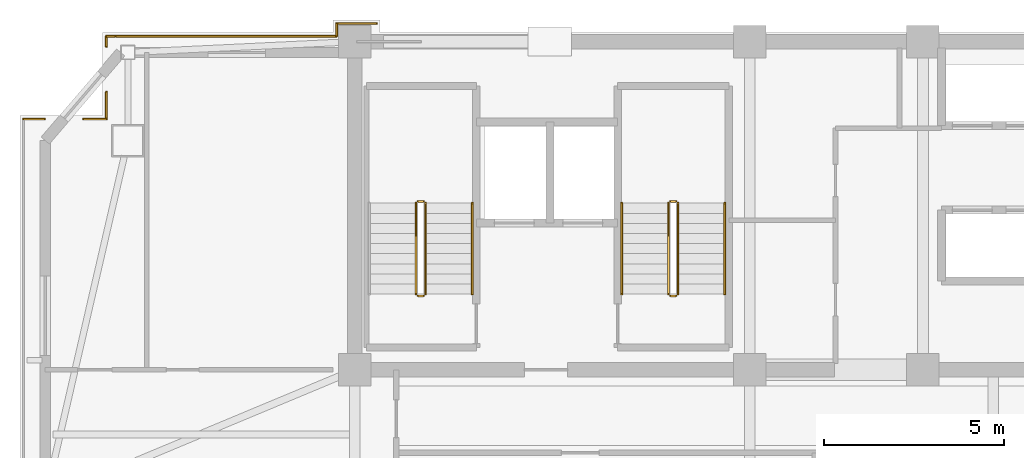
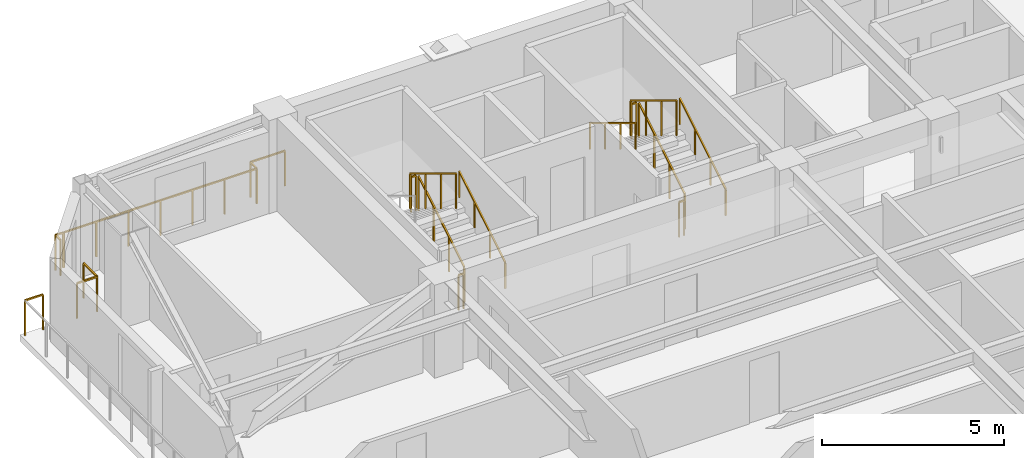
# One storey, part 11 of 13: 19 railings.
"""IFC4 building model written with IfcOpenShell, lengths in metres."""

from ifc_helpers import new_model, si_unit, direction, frame, origin, origin_2d, place, context, subcontext, project, spatial, rectangle, extrude, material, type_object, element, save


model = new_model("IFC4")

# Units and contexts
model_context = context("Model", 3, precision=1e-05, world=origin(), true_north=direction((0.0, 1.0)))
body_context = subcontext(model_context, "Body", "Model", "MODEL_VIEW")
ifc_project = project(units=[si_unit("LENGTHUNIT", "METRE"), si_unit("AREAUNIT", "SQUARE_METRE"), si_unit("VOLUMEUNIT", "CUBIC_METRE"), si_unit("PLANEANGLEUNIT", "RADIAN"), si_unit("MASSUNIT", "GRAM", prefix="KILO")], contexts=[model_context])

# Site, building, storey
site_placement = place(None, origin())
site = spatial("IfcSite", under=ifc_project, at=site_placement, CompositionType="ELEMENT")
building_placement = place(site_placement, origin())
building = spatial("IfcBuilding", under=site, at=building_placement, Name="Giltprow Tower", CompositionType="ELEMENT")
storey_placement = place(building_placement, frame((0.0, 0.0, 324.39990234375)))
storey = spatial("IfcBuildingStorey", under=building, at=storey_placement, Name="L84", CompositionType="ELEMENT", Elevation=324.39990234375)

# Railings
ifc_material = material(Name="Anodized bronze", Category="metal")
railing_type_1 = type_object("IfcRailingType", Name="RAIL-BALC-GUARD-1200", PredefinedType="BALUSTRADE", material=ifc_material)
railing_1_placement = place(storey_placement, frame((10.669921875, 44.407958984375, 0.0)))
element("IfcRailing", 1, at=railing_1_placement, inside=storey, type_object=railing_type_1, Name="L84 Corner Apron Edge Balustrade 14", PredefinedType="BALUSTRADE", context=body_context, shape_type="SweptSolid", body=[
    extrude(rectangle(XDim=0.048095703125, YDim=0.048095703125, at=origin_2d()), frame((0.0, 0.0, 1.17578125), z_axis=(1.0, 0.0, 0.0), x_axis=(0.0, 1.0, 0.0)), (0.0, 0.0, 1.0), 0.573974609375),
    extrude(rectangle(XDim=0.0419921875, YDim=0.0419921875, at=origin_2d()), origin(), (0.0, 0.0, 1.0), 1.15185546875),
    extrude(rectangle(XDim=0.0419921875, YDim=0.0419921875, at=origin_2d()), frame((0.573974609375, 0.0, 0.0)), (0.0, 0.0, 1.0), 1.15185546875),
])
railing_2_placement = place(storey_placement, frame((12.323974609375, 44.407958984375, 0.0)))
element("IfcRailing", 2, at=railing_2_placement, inside=storey, type_object=railing_type_1, Name="L84 Corner Apron Edge Balustrade 15", PredefinedType="BALUSTRADE", context=body_context, shape_type="SweptSolid", body=[
    extrude(rectangle(XDim=0.048095703125, YDim=0.048095703125, at=origin_2d()), frame((0.0, 0.0, 1.17578125), z_axis=(1.0, 0.0, 0.0), x_axis=(0.0, 1.0, 0.0)), (0.0, 0.0, 1.0), 0.637939453125),
    extrude(rectangle(XDim=0.0419921875, YDim=0.0419921875, at=origin_2d()), origin(), (0.0, 0.0, 1.0), 1.15185546875),
    extrude(rectangle(XDim=0.0419921875, YDim=0.0419921875, at=origin_2d()), frame((0.637939453125, 0.0, 0.0)), (0.0, 0.0, 1.0), 1.15185546875),
])
railing_3_placement = place(storey_placement, frame((12.9619140625, 44.407958984375, 0.0)))
element("IfcRailing", 3, at=railing_3_placement, inside=storey, type_object=railing_type_1, Name="L84 Corner Apron Edge Balustrade 16", PredefinedType="BALUSTRADE", context=body_context, shape_type="SweptSolid", body=[
    extrude(rectangle(XDim=0.048095703125, YDim=0.048095703125, at=origin_2d()), frame((0.0, 0.0, 1.17578125), z_axis=(0.0, 1.0, 0.0), x_axis=(-1.0, 0.0, 0.0)), (0.0, 0.0, 1.0), 0.7451171875),
    extrude(rectangle(XDim=0.0419921875, YDim=0.0419921875, at=origin_2d()), origin(), (0.0, 0.0, 1.0), 1.15185546875),
    extrude(rectangle(XDim=0.0419921875, YDim=0.0419921875, at=origin_2d()), frame((0.0, 0.7451171875, 0.0)), (0.0, 0.0, 1.0), 1.15185546875),
])
railing_4_placement = place(storey_placement, frame((12.9619140625, 46.4130859375, 0.0)))
element("IfcRailing", 4, at=railing_4_placement, inside=storey, type_object=railing_type_1, Name="L84 Corner Apron Edge Balustrade 17", PredefinedType="BALUSTRADE", context=body_context, shape_type="SweptSolid", body=[
    extrude(rectangle(XDim=0.048095703125, YDim=0.048095703125, at=origin_2d()), frame((0.0, 0.0, 1.17578125), z_axis=(0.0, 1.0, 0.0), x_axis=(-1.0, 0.0, 0.0)), (0.0, 0.0, 1.0), 0.286865234375),
    extrude(rectangle(XDim=0.0419921875, YDim=0.0419921875, at=origin_2d()), origin(), (0.0, 0.0, 1.0), 1.15185546875),
    extrude(rectangle(XDim=0.0419921875, YDim=0.0419921875, at=origin_2d()), frame((0.0, 0.286865234375, 0.0)), (0.0, 0.0, 1.0), 1.15185546875),
])
railing_5_placement = place(storey_placement, frame((12.9619140625, 46.699951171875, 0.0)))
element("IfcRailing", 5, at=railing_5_placement, inside=storey, type_object=railing_type_1, Name="L84 Corner Apron Edge Balustrade 18", PredefinedType="BALUSTRADE", context=body_context, shape_type="SweptSolid", body=[
    extrude(rectangle(XDim=0.048095703125, YDim=0.048095703125, at=origin_2d()), frame((0.0, 0.0, 1.17578125), z_axis=(1.0, 0.0, 0.0), x_axis=(0.0, 1.0, 0.0)), (0.0, 0.0, 1.0), 0.24609375),
    extrude(rectangle(XDim=0.0419921875, YDim=0.0419921875, at=origin_2d()), origin(), (0.0, 0.0, 1.0), 1.15185546875),
    extrude(rectangle(XDim=0.0419921875, YDim=0.0419921875, at=origin_2d()), frame((0.24609375, 0.0, 0.0)), (0.0, 0.0, 1.0), 1.15185546875),
])
railing_6_placement = place(storey_placement, frame((13.236083984375, 46.699951171875, 0.0)))
element("IfcRailing", 6, at=railing_6_placement, inside=storey, type_object=railing_type_1, Name="L84 Corner Apron Edge Balustrade 19", PredefinedType="BALUSTRADE", context=body_context, shape_type="SweptSolid", body=[
    extrude(rectangle(XDim=0.048095703125, YDim=0.048095703125, at=origin_2d()), frame((0.0, 0.0, 1.17578125), z_axis=(1.0, 0.0, 0.0), x_axis=(0.0, 1.0, 0.0)), (0.0, 0.0, 1.0), 6.114013671875),
    extrude(rectangle(XDim=0.0419921875, YDim=0.0419921875, at=origin_2d()), origin(), (0.0, 0.0, 1.0), 1.15185546875),
    extrude(rectangle(XDim=0.0419921875, YDim=0.0419921875, at=origin_2d()), frame((1.01904296875, 0.0, 0.0)), (0.0, 0.0, 1.0), 1.15185546875),
    extrude(rectangle(XDim=0.0419921875, YDim=0.0419921875, at=origin_2d()), frame((2.0380859375, 0.0, 0.0)), (0.0, 0.0, 1.0), 1.15185546875),
    extrude(rectangle(XDim=0.0419921875, YDim=0.0419921875, at=origin_2d()), frame((3.05712890625, 0.0, 0.0)), (0.0, 0.0, 1.0), 1.15185546875),
    extrude(rectangle(XDim=0.0419921875, YDim=0.0419921875, at=origin_2d()), frame((4.075927734375, 0.0, 0.0)), (0.0, 0.0, 1.0), 1.15185546875),
    extrude(rectangle(XDim=0.0419921875, YDim=0.0419921875, at=origin_2d()), frame((5.094970703125, 0.0, 0.0)), (0.0, 0.0, 1.0), 1.15185546875),
    extrude(rectangle(XDim=0.0419921875, YDim=0.0419921875, at=origin_2d()), frame((6.114013671875, 0.0, 0.0)), (0.0, 0.0, 1.0), 1.15185546875),
])
railing_7_placement = place(storey_placement, frame((19.35009765625, 46.699951171875, 0.0)))
element("IfcRailing", 7, at=railing_7_placement, inside=storey, type_object=railing_type_1, Name="L84 Corner Apron Edge Balustrade 20", PredefinedType="BALUSTRADE", context=body_context, shape_type="SweptSolid", body=[
    extrude(rectangle(XDim=0.048095703125, YDim=0.048095703125, at=origin_2d()), frame((0.0, 0.0, 1.17578125), z_axis=(0.0, 1.0, 0.0), x_axis=(-1.0, 0.0, 0.0)), (0.0, 0.0, 1.0), 0.35009765625),
    extrude(rectangle(XDim=0.0419921875, YDim=0.0419921875, at=origin_2d()), origin(), (0.0, 0.0, 1.0), 1.15185546875),
    extrude(rectangle(XDim=0.0419921875, YDim=0.0419921875, at=origin_2d()), frame((0.0, 0.35009765625, 0.0)), (0.0, 0.0, 1.0), 1.15185546875),
])
railing_8_placement = place(storey_placement, frame((19.35009765625, 47.050048828125, 0.0)))
element("IfcRailing", 8, at=railing_8_placement, inside=storey, type_object=railing_type_1, Name="L84 Corner Apron Edge Balustrade 21", PredefinedType="BALUSTRADE", context=body_context, shape_type="SweptSolid", body=[
    extrude(rectangle(XDim=0.048095703125, YDim=0.048095703125, at=origin_2d()), frame((0.0, 0.0, 1.17578125), z_axis=(1.0, 0.0, 0.0), x_axis=(0.0, 1.0, 0.0)), (0.0, 0.0, 1.0), 1.099853515625),
    extrude(rectangle(XDim=0.0419921875, YDim=0.0419921875, at=origin_2d()), origin(), (0.0, 0.0, 1.0), 1.15185546875),
    extrude(rectangle(XDim=0.0419921875, YDim=0.0419921875, at=origin_2d()), frame((1.099853515625, 0.0, 0.0)), (0.0, 0.0, 1.0), 1.15185546875),
])
railing_type_2 = type_object("IfcRailingType", Name="RAIL-STAIR-GUARD-1200", PredefinedType="GUARDRAIL", material=ifc_material)
railing_9_placement = place(storey_placement, frame((21.81005859375, 39.550048828125, 0.170166015625)))
element("IfcRailing", 9, at=railing_9_placement, inside=storey, type_object=railing_type_2, Name="L84 ST-1 stair guard 1", PredefinedType="GUARDRAIL", context=body_context, shape_type="SweptSolid", body=[
    extrude(rectangle(XDim=0.048095703125, YDim=0.048095703125, at=origin_2d()), frame((0.0, 0.0, 1.17578125), z_axis=(0.0, 0.85478489116, 0.518982456201), x_axis=(-1.0, 0.0, 0.0)), (0.0, 0.0, 1.0), 2.9482421875),
    extrude(rectangle(XDim=0.0419921875, YDim=0.0419921875, at=origin_2d()), origin(), (0.0, 0.0, 1.0), 1.15185546875),
    extrude(rectangle(XDim=0.0419921875, YDim=0.0419921875, at=origin_2d()), frame((0.0, 0.840087890625, 0.510009765625)), (0.0, 0.0, 1.0), 1.15185546875),
    extrude(rectangle(XDim=0.0419921875, YDim=0.0419921875, at=origin_2d()), frame((0.0, 1.679931640625, 1.02001953125)), (0.0, 0.0, 1.0), 1.15185546875),
    extrude(rectangle(XDim=0.0419921875, YDim=0.0419921875, at=origin_2d()), frame((0.0, 2.52001953125, 1.530029296875)), (0.0, 0.0, 1.0), 1.15185546875),
])
railing_10_placement = place(storey_placement, frame((21.760009765625, 42.1201171875, 1.7001953125)))
element("IfcRailing", 10, at=railing_10_placement, inside=storey, type_object=railing_type_2, Name="L84 ST-1 stair guard 2", PredefinedType="GUARDRAIL", context=body_context, shape_type="SweptSolid", body=[
    extrude(rectangle(XDim=0.048095703125, YDim=0.048095703125, at=origin_2d()), frame((0.0, 0.0, 1.17578125), z_axis=(-1.0, 0.0, 0.0), x_axis=(0.0, -1.0, 0.0)), (0.0, 0.0, 1.0), 0.159912109375),
    extrude(rectangle(XDim=0.0419921875, YDim=0.0419921875, at=origin_2d()), origin(), (0.0, 0.0, 1.0), 1.15185546875),
    extrude(rectangle(XDim=0.0419921875, YDim=0.0419921875, at=origin_2d()), frame((-0.159912109375, 0.0, 0.0)), (0.0, 0.0, 1.0), 1.15185546875),
])
railing_11_placement = place(storey_placement, frame((21.550048828125, 42.070068359375, 1.8701171875)))
element("IfcRailing", 11, at=railing_11_placement, inside=storey, type_object=railing_type_2, Name="L84 ST-1 stair guard 3", PredefinedType="GUARDRAIL", context=body_context, shape_type="SweptSolid", body=[
    extrude(rectangle(XDim=0.048095703125, YDim=0.048095703125, at=origin_2d()), frame((0.0, 0.0, 1.17578125), z_axis=(0.0, -0.85478489116, 0.518982456201), x_axis=(1.0, 0.0, 0.0)), (0.0, 0.0, 1.0), 2.9482421875),
    extrude(rectangle(XDim=0.0419921875, YDim=0.0419921875, at=origin_2d()), origin(), (0.0, 0.0, 1.0), 1.15185546875),
    extrude(rectangle(XDim=0.0419921875, YDim=0.0419921875, at=origin_2d()), frame((0.0, -0.840087890625, 0.510009765625)), (0.0, 0.0, 1.0), 1.15185546875),
    extrude(rectangle(XDim=0.0419921875, YDim=0.0419921875, at=origin_2d()), frame((0.0, -1.679931640625, 1.02001953125)), (0.0, 0.0, 1.0), 1.15185546875),
    extrude(rectangle(XDim=0.0419921875, YDim=0.0419921875, at=origin_2d()), frame((0.0, -2.52001953125, 1.530029296875)), (0.0, 0.0, 1.0), 1.15185546875),
])
railing_12_placement = place(storey_placement, frame((21.760009765625, 39.5, 0.0)))
element("IfcRailing", 12, at=railing_12_placement, inside=storey, type_object=railing_type_2, Name="L84 ST-1 stair guard 4", PredefinedType="GUARDRAIL", context=body_context, shape_type="SweptSolid", body=[
    extrude(rectangle(XDim=0.048095703125, YDim=0.048095703125, at=origin_2d()), frame((0.0, 0.0, 1.17578125), z_axis=(-1.0, 0.0, 0.0), x_axis=(0.0, -1.0, 0.0)), (0.0, 0.0, 1.0), 0.159912109375),
    extrude(rectangle(XDim=0.0419921875, YDim=0.0419921875, at=origin_2d()), origin(), (0.0, 0.0, 1.0), 1.15185546875),
    extrude(rectangle(XDim=0.0419921875, YDim=0.0419921875, at=origin_2d()), frame((-0.159912109375, 0.0, 0.0)), (0.0, 0.0, 1.0), 1.15185546875),
])
railing_13_placement = place(storey_placement, frame((28.81005859375, 39.550048828125, 0.170166015625)))
element("IfcRailing", 13, at=railing_13_placement, inside=storey, type_object=railing_type_2, Name="L84 ST-2 stair guard 1", PredefinedType="GUARDRAIL", context=body_context, shape_type="SweptSolid", body=[
    extrude(rectangle(XDim=0.048095703125, YDim=0.048095703125, at=origin_2d()), frame((0.0, 0.0, 1.17578125), z_axis=(0.0, 0.85478489116, 0.518982456201), x_axis=(-1.0, 0.0, 0.0)), (0.0, 0.0, 1.0), 2.9482421875),
    extrude(rectangle(XDim=0.0419921875, YDim=0.0419921875, at=origin_2d()), origin(), (0.0, 0.0, 1.0), 1.15185546875),
    extrude(rectangle(XDim=0.0419921875, YDim=0.0419921875, at=origin_2d()), frame((0.0, 0.840087890625, 0.510009765625)), (0.0, 0.0, 1.0), 1.15185546875),
    extrude(rectangle(XDim=0.0419921875, YDim=0.0419921875, at=origin_2d()), frame((0.0, 1.679931640625, 1.02001953125)), (0.0, 0.0, 1.0), 1.15185546875),
    extrude(rectangle(XDim=0.0419921875, YDim=0.0419921875, at=origin_2d()), frame((0.0, 2.52001953125, 1.530029296875)), (0.0, 0.0, 1.0), 1.15185546875),
])
railing_14_placement = place(storey_placement, frame((28.760009765625, 42.1201171875, 1.7001953125)))
element("IfcRailing", 14, at=railing_14_placement, inside=storey, type_object=railing_type_2, Name="L84 ST-2 stair guard 2", PredefinedType="GUARDRAIL", context=body_context, shape_type="SweptSolid", body=[
    extrude(rectangle(XDim=0.048095703125, YDim=0.048095703125, at=origin_2d()), frame((0.0, 0.0, 1.17578125), z_axis=(-1.0, 0.0, 0.0), x_axis=(0.0, -1.0, 0.0)), (0.0, 0.0, 1.0), 0.159912109375),
    extrude(rectangle(XDim=0.0419921875, YDim=0.0419921875, at=origin_2d()), origin(), (0.0, 0.0, 1.0), 1.15185546875),
    extrude(rectangle(XDim=0.0419921875, YDim=0.0419921875, at=origin_2d()), frame((-0.159912109375, 0.0, 0.0)), (0.0, 0.0, 1.0), 1.15185546875),
])
railing_15_placement = place(storey_placement, frame((28.550048828125, 42.070068359375, 1.8701171875)))
element("IfcRailing", 15, at=railing_15_placement, inside=storey, type_object=railing_type_2, Name="L84 ST-2 stair guard 3", PredefinedType="GUARDRAIL", context=body_context, shape_type="SweptSolid", body=[
    extrude(rectangle(XDim=0.048095703125, YDim=0.048095703125, at=origin_2d()), frame((0.0, 0.0, 1.17578125), z_axis=(0.0, -0.85478489116, 0.518982456201), x_axis=(1.0, 0.0, 0.0)), (0.0, 0.0, 1.0), 2.9482421875),
    extrude(rectangle(XDim=0.0419921875, YDim=0.0419921875, at=origin_2d()), origin(), (0.0, 0.0, 1.0), 1.15185546875),
    extrude(rectangle(XDim=0.0419921875, YDim=0.0419921875, at=origin_2d()), frame((0.0, -0.840087890625, 0.510009765625)), (0.0, 0.0, 1.0), 1.15185546875),
    extrude(rectangle(XDim=0.0419921875, YDim=0.0419921875, at=origin_2d()), frame((0.0, -1.679931640625, 1.02001953125)), (0.0, 0.0, 1.0), 1.15185546875),
    extrude(rectangle(XDim=0.0419921875, YDim=0.0419921875, at=origin_2d()), frame((0.0, -2.52001953125, 1.530029296875)), (0.0, 0.0, 1.0), 1.15185546875),
])
railing_16_placement = place(storey_placement, frame((28.760009765625, 39.5, 0.0)))
element("IfcRailing", 16, at=railing_16_placement, inside=storey, type_object=railing_type_2, Name="L84 ST-2 stair guard 4", PredefinedType="GUARDRAIL", context=body_context, shape_type="SweptSolid", body=[
    extrude(rectangle(XDim=0.048095703125, YDim=0.048095703125, at=origin_2d()), frame((0.0, 0.0, 1.17578125), z_axis=(-1.0, 0.0, 0.0), x_axis=(0.0, -1.0, 0.0)), (0.0, 0.0, 1.0), 0.159912109375),
    extrude(rectangle(XDim=0.0419921875, YDim=0.0419921875, at=origin_2d()), origin(), (0.0, 0.0, 1.0), 1.15185546875),
    extrude(rectangle(XDim=0.0419921875, YDim=0.0419921875, at=origin_2d()), frame((-0.159912109375, 0.0, 0.0)), (0.0, 0.0, 1.0), 1.15185546875),
])
railing_type_3 = type_object("IfcRailingType", Name="RAIL-STAIR-HAND-900", PredefinedType="HANDRAIL", material=ifc_material)
for number, where, name in (
    (17, (23.110107421875, 39.550048828125, 0.170166015625), "L84 ST-1 stair handrail 1"),
    (18, (30.110107421875, 39.550048828125, 0.170166015625), "L84 ST-2 stair handrail 1"),
):
    element("IfcRailing", number, at=place(storey_placement, frame(where)), inside=storey, type_object=railing_type_3, Name=name, PredefinedType="HANDRAIL", context=body_context, shape_type="SweptSolid", body=[
        extrude(rectangle(XDim=0.048095703125, YDim=0.048095703125, at=origin_2d()), frame((0.0, 0.0, 0.8759765625), z_axis=(0.0, 0.85478489116, 0.518982456201), x_axis=(-1.0, 0.0, 0.0)), (0.0, 0.0, 1.0), 2.9482421875),
        extrude(rectangle(XDim=0.0419921875, YDim=0.0419921875, at=origin_2d()), origin(), (0.0, 0.0, 1.0), 0.851806640625),
        extrude(rectangle(XDim=0.0419921875, YDim=0.0419921875, at=origin_2d()), frame((0.0, 0.840087890625, 0.510009765625)), (0.0, 0.0, 1.0), 0.851806640625),
        extrude(rectangle(XDim=0.0419921875, YDim=0.0419921875, at=origin_2d()), frame((0.0, 1.679931640625, 1.02001953125)), (0.0, 0.0, 1.0), 0.851806640625),
        extrude(rectangle(XDim=0.0419921875, YDim=0.0419921875, at=origin_2d()), frame((0.0, 2.52001953125, 1.530029296875)), (0.0, 0.0, 1.0), 0.851806640625),
    ])
railing_17_placement = place(storey_placement, frame((27.25, 42.070068359375, 1.8701171875)))
element("IfcRailing", 19, at=railing_17_placement, inside=storey, type_object=railing_type_3, Name="L84 ST-2 stair handrail 2", PredefinedType="HANDRAIL", context=body_context, shape_type="SweptSolid", body=[
    extrude(rectangle(XDim=0.048095703125, YDim=0.048095703125, at=origin_2d()), frame((0.0, 0.0, 0.8759765625), z_axis=(0.0, -0.85478489116, 0.518982456201), x_axis=(1.0, 0.0, 0.0)), (0.0, 0.0, 1.0), 2.9482421875),
    extrude(rectangle(XDim=0.0419921875, YDim=0.0419921875, at=origin_2d()), origin(), (0.0, 0.0, 1.0), 0.851806640625),
    extrude(rectangle(XDim=0.0419921875, YDim=0.0419921875, at=origin_2d()), frame((0.0, -0.840087890625, 0.510009765625)), (0.0, 0.0, 1.0), 0.851806640625),
    extrude(rectangle(XDim=0.0419921875, YDim=0.0419921875, at=origin_2d()), frame((0.0, -1.679931640625, 1.02001953125)), (0.0, 0.0, 1.0), 0.851806640625),
    extrude(rectangle(XDim=0.0419921875, YDim=0.0419921875, at=origin_2d()), frame((0.0, -2.52001953125, 1.530029296875)), (0.0, 0.0, 1.0), 0.851806640625),
])

save(model, "model.ifc")
